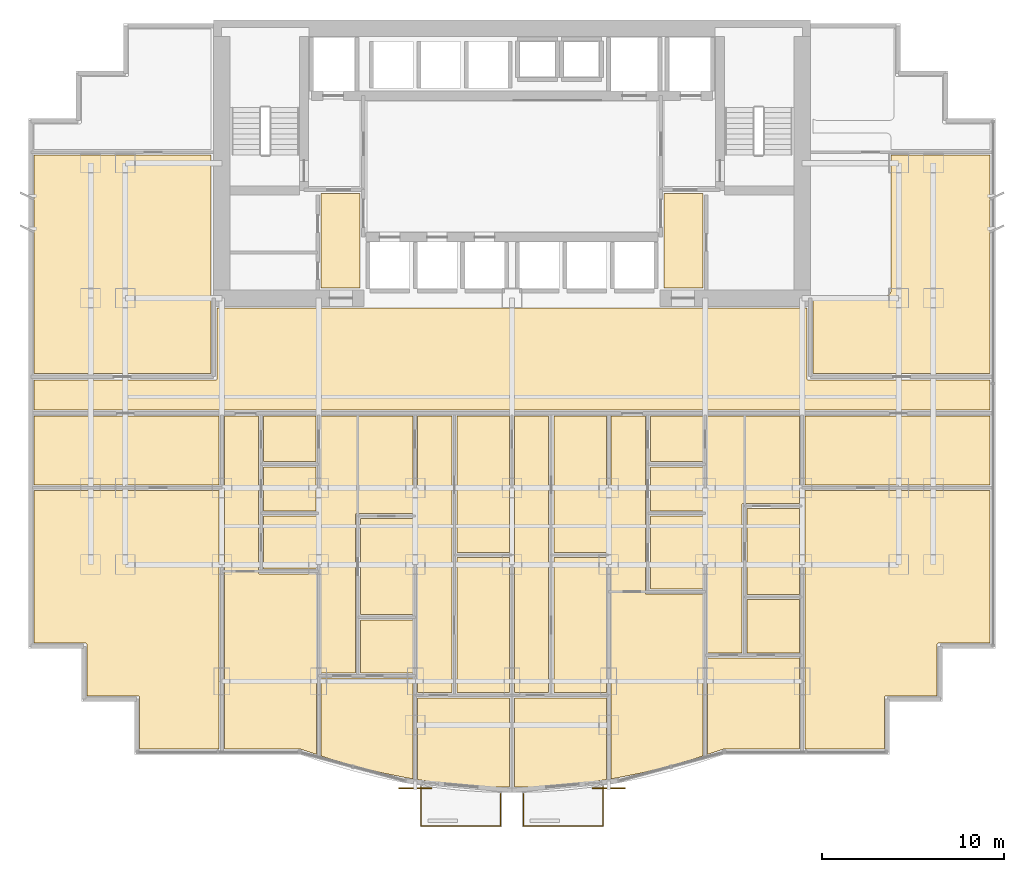
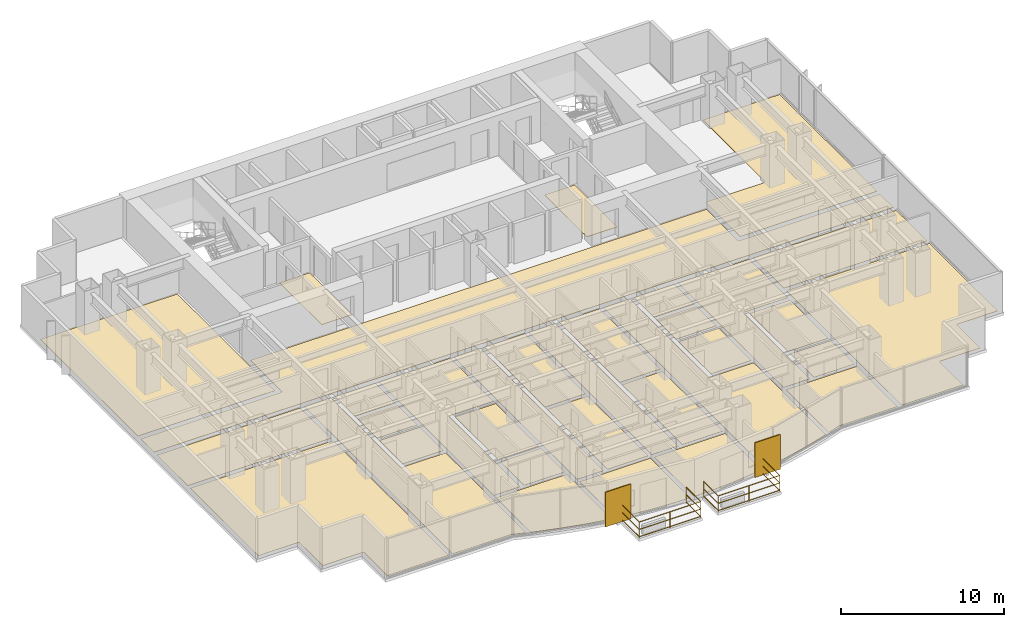
# One storey, part 11 of 12: 33 coverings, 2 railings, 2 shading devices.
"""IFC4 building model written with IfcOpenShell, lengths in metres."""

from ifc_helpers import new_model, si_unit, direction, frame, origin, origin_2d, place, context, subcontext, project, spatial, polyline, rectangle, circle, outline, extrude, source, transform, mapped, material, layer, layer_set, type_object, element, save


model = new_model("IFC4")

# Units and contexts
model_context = context("Model", 3, precision=1e-05, world=origin(), true_north=direction((0.0, 1.0)))
body_context = subcontext(model_context, "Body", "Model", "MODEL_VIEW")
ifc_project = project(units=[si_unit("LENGTHUNIT", "METRE"), si_unit("AREAUNIT", "SQUARE_METRE"), si_unit("VOLUMEUNIT", "CUBIC_METRE"), si_unit("PLANEANGLEUNIT", "RADIAN"), si_unit("MASSUNIT", "GRAM", prefix="KILO")], contexts=[model_context])

# Site, building, storey
site_placement = place(None, origin())
site = spatial("IfcSite", under=ifc_project, at=site_placement, CompositionType="ELEMENT")
building_placement = place(site_placement, origin())
building = spatial("IfcBuilding", under=site, at=building_placement, Name="Qianlan Lanfeng Residences", CompositionType="ELEMENT")
storey_placement = place(building_placement, frame((0.0, 0.0, 67.10009765625)))
storey = spatial("IfcBuildingStorey", under=building, at=storey_placement, Name="L18", CompositionType="ELEMENT", Elevation=67.10009765625)

# Coverings
ifc_material_1 = material(Name="Honed Taitung Granite Stone Flooring", Category="masonry")
ifc_layer_1 = layer(ifc_material_1, 0.030029296875)
ifc_layer_set_1 = layer_set([ifc_layer_1], Name="Honed Taitung Granite Stone Flooring")
covering_type_1 = type_object("IfcCoveringType", Name="FLR-STN-30", PredefinedType="FLOORING", material=ifc_layer_set_1)
covering_1_placement = place(storey_placement, origin())
element("IfcCovering", 1, at=covering_1_placement, inside=storey, type_object=covering_type_1, Name="L18 Residential Corridor Floor Finish", PredefinedType="FLOORING", context=body_context, shape_type="SweptSolid", body=[
    extrude(outline(polyline([(0.2900390625, 19.080078125), (52.7099609375, 19.080078125), (52.7099609375, 20.719970703125), (42.739990234375, 20.719970703125), (42.73291015625, 20.719970703125), (42.72607421875, 20.720947265625), (42.719970703125, 20.722900390625), (42.712890625, 20.72509765625), (42.70703125, 20.72802734375), (42.700927734375, 20.73193359375), (42.696044921875, 20.736083984375), (42.69091796875, 20.740966796875), (42.68603515625, 20.74609375), (42.681884765625, 20.7509765625), (42.677978515625, 20.757080078125), (42.675048828125, 20.762939453125), (42.673095703125, 20.77001953125), (42.6708984375, 20.77587890625), (42.669921875, 20.782958984375), (42.669921875, 20.7900390625), (42.669921875, 24.64990234375), (10.330078125, 24.64990234375), (10.330078125, 20.7900390625), (10.330078125, 20.782958984375), (10.3291015625, 20.77587890625), (10.326904296875, 20.77001953125), (10.324951171875, 20.762939453125), (10.322021484375, 20.757080078125), (10.318115234375, 20.7509765625), (10.31396484375, 20.74609375), (10.30908203125, 20.740966796875), (10.303955078125, 20.736083984375), (10.299072265625, 20.73193359375), (10.29296875, 20.72802734375), (10.287109375, 20.72509765625), (10.280029296875, 20.722900390625), (10.27392578125, 20.720947265625), (10.26708984375, 20.719970703125), (10.260009765625, 20.719970703125), (0.2900390625, 20.719970703125), (0.2900390625, 19.080078125)])), origin(), (0.0, 0.0, 1.0), 0.02978515625),
])
covering_2_placement = place(storey_placement, origin())
element("IfcCovering", 2, at=covering_2_placement, inside=storey, type_object=covering_type_1, Name="L18 Lift Lobby Floor Finish", PredefinedType="FLOORING", context=body_context, shape_type="SweptSolid", body=[
    extrude(outline(polyline([(16.030029296875, 25.760009765625), (18.169921875, 25.760009765625), (18.169921875, 30.949951171875), (16.030029296875, 30.949951171875), (16.030029296875, 25.760009765625)])), origin(), (0.0, 0.0, 1.0), 0.02978515625),
])
covering_3_placement = place(storey_placement, origin())
element("IfcCovering", 3, at=covering_3_placement, inside=storey, type_object=covering_type_1, Name="L18 Lift Lobby Floor Finish", PredefinedType="FLOORING", context=body_context, shape_type="SweptSolid", body=[
    extrude(outline(polyline([(34.830078125, 25.760009765625), (36.969970703125, 25.760009765625), (36.969970703125, 30.949951171875), (34.830078125, 30.949951171875), (34.830078125, 25.760009765625)])), origin(), (0.0, 0.0, 1.0), 0.02978515625),
])
ifc_material_2 = material(Name="Slip-Resistant Porcelain Tile Flooring")
ifc_layer_2 = layer(ifc_material_2, 0.02001953125)
ifc_layer_set_2 = layer_set([ifc_layer_2], Name="Slip-Resistant Porcelain Tile Flooring")
covering_type_2 = type_object("IfcCoveringType", Name="FLR-TIL-20", PredefinedType="FLOORING", material=ifc_layer_set_2)
covering_4_placement = place(storey_placement, origin())
element("IfcCovering", 4, at=covering_4_placement, inside=storey, type_object=covering_type_2, Name="L18 Kitchen Floor Finish", PredefinedType="FLOORING", context=body_context, shape_type="SweptSolid", body=[
    extrude(outline(polyline([(12.889892578125, 13.5400390625), (15.760009765625, 13.5400390625), (15.760009765625, 15.9599609375), (12.889892578125, 15.9599609375), (12.889892578125, 13.5400390625)])), origin(), (0.0, 0.0, 1.0), 0.02001953125),
])
covering_5_placement = place(storey_placement, origin())
element("IfcCovering", 5, at=covering_5_placement, inside=storey, type_object=covering_type_2, Name="L18 Bathroom Floor Finish", PredefinedType="FLOORING", context=body_context, shape_type="SweptSolid", body=[
    extrude(outline(polyline([(12.889892578125, 16.239990234375), (15.760009765625, 16.239990234375), (15.760009765625, 18.72998046875), (12.889892578125, 18.72998046875), (12.889892578125, 16.239990234375)])), origin(), (0.0, 0.0, 1.0), 0.02001953125),
])
covering_6_placement = place(storey_placement, origin())
element("IfcCovering", 6, at=covering_6_placement, inside=storey, type_object=covering_type_2, Name="L18 En-Suite Bathroom Floor Finish", PredefinedType="FLOORING", context=body_context, shape_type="SweptSolid", body=[
    extrude(outline(polyline([(18.18994140625, 4.652099609375), (21.070068359375, 4.652099609375), (21.070068359375, 7.572021484375), (18.18994140625, 7.572021484375), (18.18994140625, 4.652099609375)])), origin(), (0.0, 0.0, 1.0), 0.02001953125),
])
covering_7_placement = place(storey_placement, origin())
element("IfcCovering", 7, at=covering_7_placement, inside=storey, type_object=covering_type_2, Name="L18 Kitchen Floor Finish", PredefinedType="FLOORING", context=body_context, shape_type="SweptSolid", body=[
    extrude(outline(polyline([(34.090087890625, 13.5400390625), (36.9599609375, 13.5400390625), (36.9599609375, 15.9599609375), (34.090087890625, 15.9599609375), (34.090087890625, 13.5400390625)])), origin(), (0.0, 0.0, 1.0), 0.02001953125),
])
covering_8_placement = place(storey_placement, origin())
element("IfcCovering", 8, at=covering_8_placement, inside=storey, type_object=covering_type_2, Name="L18 Bathroom Floor Finish", PredefinedType="FLOORING", context=body_context, shape_type="SweptSolid", body=[
    extrude(outline(polyline([(34.090087890625, 16.239990234375), (36.9599609375, 16.239990234375), (36.9599609375, 18.72998046875), (34.090087890625, 18.72998046875), (34.090087890625, 16.239990234375)])), origin(), (0.0, 0.0, 1.0), 0.02001953125),
])
covering_9_placement = place(storey_placement, origin())
element("IfcCovering", 9, at=covering_9_placement, inside=storey, type_object=covering_type_2, Name="L18 En-Suite Bathroom Floor Finish", PredefinedType="FLOORING", context=body_context, shape_type="SweptSolid", body=[
    extrude(outline(polyline([(39.389892578125, 5.760009765625), (42.27001953125, 5.760009765625), (42.27001953125, 8.679931640625), (39.389892578125, 8.679931640625), (39.389892578125, 5.760009765625)])), origin(), (0.0, 0.0, 1.0), 0.02001953125),
])
ifc_material_3 = material(Name="Engineered Smoked Oak Timber Flooring", Category="wood")
ifc_layer_3 = layer(ifc_material_3, 0.02197265625)
ifc_layer_set_3 = layer_set([ifc_layer_3], Name="Engineered Smoked Oak Timber Flooring")
covering_type_3 = type_object("IfcCoveringType", Name="FLR-TIM-22", PredefinedType="FLOORING", material=ifc_layer_set_3)
covering_10_placement = place(storey_placement, origin())
element("IfcCovering", 10, at=covering_10_placement, inside=storey, type_object=covering_type_3, Name="L18 Living and Dining Room Floor Finish", PredefinedType="FLOORING", context=body_context, shape_type="SweptSolid", body=[
    extrude(outline(polyline([(15.77001953125, 0.195068359375), (15.77001953125, 10.080078125), (12.679931640625, 10.080078125), (12.673095703125, 10.080078125), (12.666015625, 10.0810546875), (12.659912109375, 10.0830078125), (12.653076171875, 10.0849609375), (12.64697265625, 10.087890625), (12.64111328125, 10.092041015625), (12.635986328125, 10.095947265625), (12.631103515625, 10.10107421875), (12.6259765625, 10.10595703125), (12.6220703125, 10.111083984375), (12.617919921875, 10.116943359375), (12.614990234375, 10.123046875), (12.613037109375, 10.1298828125), (12.611083984375, 10.135986328125), (12.610107421875, 10.14306640625), (12.610107421875, 10.14990234375), (12.610107421875, 18.72998046875), (10.72998046875, 18.72998046875), (10.72998046875, 0.489990234375), (14.885986328125, 0.489990234375), (14.89404296875, 0.489990234375), (14.90087890625, 0.488037109375), (14.908935546875, 0.486083984375), (15.77001953125, 0.195068359375)])), origin(), (0.0, 0.0, 1.0), 0.02197265625),
])
covering_11_placement = place(storey_placement, origin())
element("IfcCovering", 11, at=covering_11_placement, inside=storey, type_object=covering_type_3, Name="L18 Private Study Floor Finish", PredefinedType="FLOORING", context=body_context, shape_type="SweptSolid", body=[
    extrude(outline(polyline([(12.889892578125, 13.260009765625), (12.889892578125, 10.360107421875), (15.77001953125, 10.360107421875), (15.77001953125, 13.260009765625), (12.889892578125, 13.260009765625)])), origin(), (0.0, 0.0, 1.0), 0.02197265625),
])
covering_12_placement = place(storey_placement, origin())
element("IfcCovering", 12, at=covering_12_placement, inside=storey, type_object=covering_type_3, Name="L18 Private Study Floor Finish", PredefinedType="FLOORING", context=body_context, shape_type="SweptSolid", body=[
    extrude(outline(polyline([(18.18994140625, 7.85205078125), (21.070068359375, 7.85205078125), (21.070068359375, 13.115966796875), (18.18994140625, 13.115966796875), (18.18994140625, 7.85205078125)])), origin(), (0.0, 0.0, 1.0), 0.02197265625),
])
covering_13_placement = place(storey_placement, origin())
element("IfcCovering", 13, at=covering_13_placement, inside=storey, type_object=covering_type_3, Name="L18 Villa Family Sitting Room Floor Finish", PredefinedType="FLOORING", context=body_context, shape_type="SweptSolid", body=[
    extrude(outline(polyline([(16.030029296875, 4.652099609375), (17.909912109375, 4.652099609375), (17.909912109375, 13.325927734375), (17.909912109375, 13.3330078125), (17.910888671875, 13.340087890625), (17.9130859375, 13.345947265625), (17.9150390625, 13.35302734375), (17.91796875, 13.35888671875), (17.922119140625, 13.364990234375), (17.926025390625, 13.3701171875), (17.930908203125, 13.375), (17.93603515625, 13.3798828125), (17.94091796875, 13.384033203125), (17.947021484375, 13.387939453125), (17.952880859375, 13.39111328125), (17.9599609375, 13.39306640625), (17.966064453125, 13.39501953125), (17.972900390625, 13.39599609375), (17.97998046875, 13.39599609375), (21.070068359375, 13.39599609375), (21.070068359375, 18.72998046875), (16.030029296875, 18.72998046875), (16.030029296875, 4.652099609375)])), origin(), (0.0, 0.0, 1.0), 0.02197265625),
])
covering_14_placement = place(storey_placement, origin())
element("IfcCovering", 14, at=covering_14_placement, inside=storey, type_object=covering_type_3, Name="L18 Master Bedroom Floor Finish", PredefinedType="FLOORING", context=body_context, shape_type="SweptSolid", body=[
    extrude(outline(polyline([(16.030029296875, 4.3720703125), (16.030029296875, 0.10693359375), (16.39306640625, -0.014892578125), (17.837890625, -0.43896484375), (19.282958984375, -0.797119140625), (20.72607421875, -1.090087890625), (21.070068359375, -1.14404296875), (21.070068359375, 4.3720703125), (16.030029296875, 4.3720703125)])), origin(), (0.0, 0.0, 1.0), 0.02197265625),
])
covering_15_placement = place(storey_placement, origin())
element("IfcCovering", 15, at=covering_15_placement, inside=storey, type_object=covering_type_3, Name="L18 Bedroom Floor Finish", PredefinedType="FLOORING", context=body_context, shape_type="SweptSolid", body=[
    extrude(outline(polyline([(21.330078125, 3.2939453125), (21.330078125, -1.18505859375), (22.169921875, -1.318115234375), (23.613037109375, -1.47998046875), (25.056884765625, -1.576904296875), (26.3701171875, -1.60693359375), (26.3701171875, 3.2939453125), (21.330078125, 3.2939453125)])), origin(), (0.0, 0.0, 1.0), 0.02197265625),
])
covering_16_placement = place(storey_placement, origin())
element("IfcCovering", 16, at=covering_16_placement, inside=storey, type_object=covering_type_3, Name="L18 Private Study Floor Finish", PredefinedType="FLOORING", context=body_context, shape_type="SweptSolid", body=[
    extrude(outline(polyline([(23.489990234375, 3.573974609375), (26.3701171875, 3.573974609375), (26.3701171875, 10.97705078125), (23.489990234375, 10.97705078125), (23.489990234375, 3.573974609375)])), origin(), (0.0, 0.0, 1.0), 0.02197265625),
])
covering_17_placement = place(storey_placement, origin())
element("IfcCovering", 17, at=covering_17_placement, inside=storey, type_object=covering_type_3, Name="L18 Yoga Studio Floor Finish", PredefinedType="FLOORING", context=body_context, shape_type="SweptSolid", body=[
    extrude(outline(polyline([(23.489990234375, 11.257080078125), (26.3701171875, 11.257080078125), (26.3701171875, 18.72998046875), (23.489990234375, 18.72998046875), (23.489990234375, 11.257080078125)])), origin(), (0.0, 0.0, 1.0), 0.02197265625),
])
covering_18_placement = place(storey_placement, origin())
element("IfcCovering", 18, at=covering_18_placement, inside=storey, type_object=covering_type_3, Name="L18 Home Office Floor Finish", PredefinedType="FLOORING", context=body_context, shape_type="SweptSolid", body=[
    extrude(outline(polyline([(21.330078125, 3.573974609375), (23.2099609375, 3.573974609375), (23.2099609375, 18.72998046875), (21.330078125, 18.72998046875), (21.330078125, 3.573974609375)])), origin(), (0.0, 0.0, 1.0), 0.02197265625),
])
covering_19_placement = place(storey_placement, origin())
element("IfcCovering", 19, at=covering_19_placement, inside=storey, type_object=covering_type_3, Name="L18 Guest Bedroom Floor Finish", PredefinedType="FLOORING", context=body_context, shape_type="SweptSolid", body=[
    extrude(outline(polyline([(26.6298828125, 3.2939453125), (26.6298828125, -1.60693359375), (27.943115234375, -1.576904296875), (29.385986328125, -1.47998046875), (30.830078125, -1.318115234375), (31.669921875, -1.18505859375), (31.669921875, 3.2939453125), (26.6298828125, 3.2939453125)])), origin(), (0.0, 0.0, 1.0), 0.02197265625),
])
covering_20_placement = place(storey_placement, origin())
element("IfcCovering", 20, at=covering_20_placement, inside=storey, type_object=covering_type_3, Name="L18 Private Study Floor Finish", PredefinedType="FLOORING", context=body_context, shape_type="SweptSolid", body=[
    extrude(outline(polyline([(28.7900390625, 3.573974609375), (31.669921875, 3.573974609375), (31.669921875, 10.97705078125), (28.7900390625, 10.97705078125), (28.7900390625, 3.573974609375)])), origin(), (0.0, 0.0, 1.0), 0.02197265625),
])
covering_21_placement = place(storey_placement, origin())
element("IfcCovering", 21, at=covering_21_placement, inside=storey, type_object=covering_type_3, Name="L18 Yoga Studio Floor Finish", PredefinedType="FLOORING", context=body_context, shape_type="SweptSolid", body=[
    extrude(outline(polyline([(28.7900390625, 11.257080078125), (31.669921875, 11.257080078125), (31.669921875, 18.72998046875), (28.7900390625, 18.72998046875), (28.7900390625, 11.257080078125)])), origin(), (0.0, 0.0, 1.0), 0.02197265625),
])
covering_22_placement = place(storey_placement, origin())
element("IfcCovering", 22, at=covering_22_placement, inside=storey, type_object=covering_type_3, Name="L18 Home Office Floor Finish", PredefinedType="FLOORING", context=body_context, shape_type="SweptSolid", body=[
    extrude(outline(polyline([(26.6298828125, 3.573974609375), (28.510009765625, 3.573974609375), (28.510009765625, 18.72998046875), (26.6298828125, 18.72998046875), (26.6298828125, 3.573974609375)])), origin(), (0.0, 0.0, 1.0), 0.02197265625),
])
covering_23_placement = place(storey_placement, origin())
element("IfcCovering", 23, at=covering_23_placement, inside=storey, type_object=covering_type_3, Name="L18 Living and Dining Room Floor Finish", PredefinedType="FLOORING", context=body_context, shape_type="SweptSolid", body=[
    extrude(outline(polyline([(36.969970703125, 0.10693359375), (36.969970703125, 8.972900390625), (33.8798828125, 8.972900390625), (33.873046875, 8.972900390625), (33.865966796875, 8.97412109375), (33.860107421875, 8.97607421875), (33.85302734375, 8.97802734375), (33.846923828125, 8.98095703125), (33.841064453125, 8.985107421875), (33.8359375, 8.989013671875), (33.8310546875, 8.993896484375), (33.825927734375, 8.9990234375), (33.822021484375, 9.00390625), (33.818115234375, 9.010009765625), (33.81494140625, 9.01611328125), (33.81298828125, 9.02294921875), (33.81103515625, 9.029052734375), (33.81005859375, 9.035888671875), (33.81005859375, 9.04296875), (33.81005859375, 18.72998046875), (31.929931640625, 18.72998046875), (31.929931640625, -1.14404296875), (32.27392578125, -1.090087890625), (33.717041015625, -0.797119140625), (35.160888671875, -0.43896484375), (36.60693359375, -0.014892578125), (36.969970703125, 0.10693359375)])), origin(), (0.0, 0.0, 1.0), 0.02197265625),
])
covering_24_placement = place(storey_placement, origin())
element("IfcCovering", 24, at=covering_24_placement, inside=storey, type_object=covering_type_3, Name="L18 Villa Family Sitting Room Floor Finish", PredefinedType="FLOORING", context=body_context, shape_type="SweptSolid", body=[
    extrude(outline(polyline([(34.090087890625, 13.260009765625), (34.090087890625, 9.2529296875), (36.969970703125, 9.2529296875), (36.969970703125, 13.260009765625), (34.090087890625, 13.260009765625)])), origin(), (0.0, 0.0, 1.0), 0.02197265625),
])
covering_25_placement = place(storey_placement, origin())
element("IfcCovering", 25, at=covering_25_placement, inside=storey, type_object=covering_type_3, Name="L18 Private Study Floor Finish", PredefinedType="FLOORING", context=body_context, shape_type="SweptSolid", body=[
    extrude(outline(polyline([(39.389892578125, 8.9599609375), (42.27001953125, 8.9599609375), (42.27001953125, 13.669921875), (39.389892578125, 13.669921875), (39.389892578125, 8.9599609375)])), origin(), (0.0, 0.0, 1.0), 0.02197265625),
])
covering_26_placement = place(storey_placement, origin())
element("IfcCovering", 26, at=covering_26_placement, inside=storey, type_object=covering_type_3, Name="L18 Villa Family Sitting Room Floor Finish", PredefinedType="FLOORING", context=body_context, shape_type="SweptSolid", body=[
    extrude(outline(polyline([(37.22998046875, 5.760009765625), (39.110107421875, 5.760009765625), (39.110107421875, 13.8798828125), (39.110107421875, 13.886962890625), (39.111083984375, 13.89404296875), (39.113037109375, 13.89990234375), (39.114990234375, 13.906982421875), (39.117919921875, 13.9130859375), (39.1220703125, 13.9189453125), (39.1259765625, 13.924072265625), (39.131103515625, 13.928955078125), (39.135986328125, 13.93408203125), (39.14111328125, 13.93798828125), (39.14697265625, 13.94189453125), (39.153076171875, 13.945068359375), (39.159912109375, 13.947021484375), (39.166015625, 13.948974609375), (39.173095703125, 13.949951171875), (39.179931640625, 13.949951171875), (42.27001953125, 13.949951171875), (42.27001953125, 18.72998046875), (37.22998046875, 18.72998046875), (37.22998046875, 5.760009765625)])), origin(), (0.0, 0.0, 1.0), 0.02197265625),
])
covering_27_placement = place(storey_placement, origin())
element("IfcCovering", 27, at=covering_27_placement, inside=storey, type_object=covering_type_3, Name="L18 Master Bedroom Floor Finish", PredefinedType="FLOORING", context=body_context, shape_type="SweptSolid", body=[
    extrude(outline(polyline([(37.22998046875, 5.47998046875), (37.22998046875, 0.195068359375), (38.091064453125, 0.486083984375), (38.09912109375, 0.488037109375), (38.10595703125, 0.489990234375), (38.114013671875, 0.489990234375), (42.27001953125, 0.489990234375), (42.27001953125, 5.47998046875), (37.22998046875, 5.47998046875)])), origin(), (0.0, 0.0, 1.0), 0.02197265625),
])
covering_28_placement = place(storey_placement, origin())
element("IfcCovering", 28, at=covering_28_placement, inside=storey, type_object=covering_type_3, Name="L18 Sunroom Floor Finish", PredefinedType="FLOORING", context=body_context, shape_type="SweptSolid", body=[
    extrude(outline(polyline([(10.43994140625, 14.64990234375), (0.2900390625, 14.64990234375), (0.2900390625, 6.2900390625), (3.1201171875, 6.2900390625), (3.126953125, 6.2900390625), (3.134033203125, 6.2890625), (3.139892578125, 6.287109375), (3.14697265625, 6.284912109375), (3.153076171875, 6.281982421875), (3.158935546875, 6.278076171875), (3.1640625, 6.27392578125), (3.1689453125, 6.26904296875), (3.174072265625, 6.263916015625), (3.177978515625, 6.259033203125), (3.181884765625, 6.2529296875), (3.18505859375, 6.2470703125), (3.18701171875, 6.239990234375), (3.18896484375, 6.23388671875), (3.18994140625, 6.22705078125), (3.18994140625, 6.219970703125), (3.18994140625, 3.389892578125), (6.02001953125, 3.389892578125), (6.027099609375, 3.389892578125), (6.033935546875, 3.388916015625), (6.0400390625, 3.386962890625), (6.047119140625, 3.385009765625), (6.052978515625, 3.382080078125), (6.05908203125, 3.3779296875), (6.06396484375, 3.3740234375), (6.069091796875, 3.368896484375), (6.073974609375, 3.364013671875), (6.077880859375, 3.35888671875), (6.08203125, 3.35302734375), (6.0849609375, 3.346923828125), (6.0869140625, 3.340087890625), (6.089111328125, 3.333984375), (6.090087890625, 3.326904296875), (6.090087890625, 3.320068359375), (6.090087890625, 0.489990234375), (10.43994140625, 0.489990234375), (10.43994140625, 14.64990234375)])), origin(), (0.0, 0.0, 1.0), 0.02197265625),
])
covering_29_placement = place(storey_placement, origin())
element("IfcCovering", 29, at=covering_29_placement, inside=storey, type_object=covering_type_3, Name="L18 Family Sitting Room Floor Finish", PredefinedType="FLOORING", context=body_context, shape_type="SweptSolid", body=[
    extrude(outline(polyline([(10.43994140625, 18.72998046875), (0.2900390625, 18.72998046875), (0.2900390625, 14.949951171875), (10.43994140625, 14.949951171875), (10.43994140625, 18.72998046875)])), origin(), (0.0, 0.0, 1.0), 0.02197265625),
])
covering_30_placement = place(storey_placement, origin())
element("IfcCovering", 30, at=covering_30_placement, inside=storey, type_object=covering_type_3, Name="L18 Sunroom Floor Finish", PredefinedType="FLOORING", context=body_context, shape_type="SweptSolid", body=[
    extrude(outline(polyline([(52.7099609375, 14.64990234375), (42.56005859375, 14.64990234375), (42.56005859375, 0.489990234375), (46.909912109375, 0.489990234375), (46.909912109375, 3.320068359375), (46.909912109375, 3.326904296875), (46.910888671875, 3.333984375), (46.9130859375, 3.340087890625), (46.9150390625, 3.346923828125), (46.91796875, 3.35302734375), (46.922119140625, 3.35888671875), (46.926025390625, 3.364013671875), (46.930908203125, 3.368896484375), (46.93603515625, 3.3740234375), (46.94091796875, 3.3779296875), (46.947021484375, 3.382080078125), (46.952880859375, 3.385009765625), (46.9599609375, 3.386962890625), (46.966064453125, 3.388916015625), (46.972900390625, 3.389892578125), (46.97998046875, 3.389892578125), (49.81005859375, 3.389892578125), (49.81005859375, 6.219970703125), (49.81005859375, 6.22705078125), (49.81103515625, 6.23388671875), (49.81298828125, 6.239990234375), (49.81494140625, 6.2470703125), (49.818115234375, 6.2529296875), (49.822021484375, 6.259033203125), (49.825927734375, 6.263916015625), (49.8310546875, 6.26904296875), (49.8359375, 6.27392578125), (49.841064453125, 6.278076171875), (49.846923828125, 6.281982421875), (49.85302734375, 6.284912109375), (49.860107421875, 6.287109375), (49.865966796875, 6.2890625), (49.873046875, 6.2900390625), (49.8798828125, 6.2900390625), (52.7099609375, 6.2900390625), (52.7099609375, 14.64990234375)])), origin(), (0.0, 0.0, 1.0), 0.02197265625),
])
covering_31_placement = place(storey_placement, origin())
element("IfcCovering", 31, at=covering_31_placement, inside=storey, type_object=covering_type_3, Name="L18 Private Study Floor Finish", PredefinedType="FLOORING", context=body_context, shape_type="SweptSolid", body=[
    extrude(outline(polyline([(52.7099609375, 18.72998046875), (42.56005859375, 18.72998046875), (42.56005859375, 14.949951171875), (52.7099609375, 14.949951171875), (52.7099609375, 18.72998046875)])), origin(), (0.0, 0.0, 1.0), 0.02197265625),
])
covering_32_placement = place(storey_placement, origin())
element("IfcCovering", 32, at=covering_32_placement, inside=storey, type_object=covering_type_3, Name="L18 Fitness Gymnasium Floor Finish", PredefinedType="FLOORING", context=body_context, shape_type="SweptSolid", body=[
    extrude(outline(polyline([(10.0, 33.050048828125), (0.2900390625, 33.050048828125), (0.2900390625, 21.080078125), (10.0, 21.080078125), (10.0, 33.050048828125)])), origin(), (0.0, 0.0, 1.0), 0.02197265625),
])
covering_33_placement = place(storey_placement, origin())
element("IfcCovering", 33, at=covering_33_placement, inside=storey, type_object=covering_type_3, Name="L18 Fitness Gymnasium Floor Finish", PredefinedType="FLOORING", context=body_context, shape_type="SweptSolid", body=[
    extrude(outline(polyline([(52.7099609375, 33.050048828125), (47.27001953125, 33.050048828125), (47.27001953125, 25.60009765625), (47.26904296875, 25.574951171875), (47.264892578125, 25.551025390625), (47.259033203125, 25.527099609375), (47.2509765625, 25.50390625), (47.239990234375, 25.48193359375), (47.22802734375, 25.4609375), (47.212890625, 25.44091796875), (47.197021484375, 25.423095703125), (47.178955078125, 25.406982421875), (47.158935546875, 25.39208984375), (47.137939453125, 25.3798828125), (47.115966796875, 25.368896484375), (47.093017578125, 25.361083984375), (47.069091796875, 25.35498046875), (47.044921875, 25.35107421875), (47.02001953125, 25.35009765625), (43.080078125, 25.35009765625), (43.054931640625, 25.35107421875), (43.031005859375, 25.35498046875), (43.007080078125, 25.361083984375), (43.0, 25.363037109375), (43.0, 21.080078125), (52.7099609375, 21.080078125), (52.7099609375, 33.050048828125)])), origin(), (0.0, 0.0, 1.0), 0.02197265625),
])

# Railings
ifc_material_4 = material(Name="Anodised Bronze Aluminium and Laminated Glass Guard Balustrade", Category="aluminium")
railing_type = type_object("IfcRailingType", Name="GR-EXT-1220", PredefinedType="BALUSTRADE", material=ifc_material_4)
railing_1_placement = place(storey_placement, frame((25.8798828125, -1.9560546875, 0.0)))
element("IfcRailing", 34, at=railing_1_placement, inside=storey, type_object=railing_type, Name="L18 Terrace Safety Guard GR-L18-SB-W", PredefinedType="BALUSTRADE", context=body_context, shape_type="SweptSolid", body=[
    extrude(circle(Radius=0.02490234375, at=origin_2d()), frame((0.0, 0.0, 0.0849609375), z_axis=(0.0, -1.0, 0.0), x_axis=(1.0, 0.0, 0.0)), (0.0, 0.0, 1.0), 1.77392578125),
    extrude(circle(Radius=0.02490234375, at=origin_2d()), frame((0.0, 0.0, 0.63427734375), z_axis=(0.0, -1.0, 0.0), x_axis=(1.0, 0.0, 0.0)), (0.0, 0.0, 1.0), 1.77392578125),
    extrude(circle(Radius=0.02490234375, at=origin_2d()), frame((0.0, 0.0, 1.19482421875), z_axis=(0.0, -1.0, 0.0), x_axis=(1.0, 0.0, 0.0)), (0.0, 0.0, 1.0), 1.77392578125),
    extrude(circle(Radius=0.02490234375, at=origin_2d()), frame((0.0, -1.77392578125, 0.0849609375), z_axis=(-1.0, 0.0, 0.0), x_axis=(0.0, -1.0, 0.0)), (0.0, 0.0, 1.0), 4.35986328125),
    extrude(circle(Radius=0.02490234375, at=origin_2d()), frame((0.0, -1.77392578125, 0.63427734375), z_axis=(-1.0, 0.0, 0.0), x_axis=(0.0, -1.0, 0.0)), (0.0, 0.0, 1.0), 4.35986328125),
    extrude(circle(Radius=0.02490234375, at=origin_2d()), frame((0.0, -1.77392578125, 1.19482421875), z_axis=(-1.0, 0.0, 0.0), x_axis=(0.0, -1.0, 0.0)), (0.0, 0.0, 1.0), 4.35986328125),
    extrude(circle(Radius=0.02490234375, at=origin_2d()), frame((-4.35986328125, -1.77392578125, 0.0849609375), z_axis=(0.0, 1.0, 0.0), x_axis=(-1.0, 0.0, 0.0)), (0.0, 0.0, 1.0), 2.15087890625),
    extrude(circle(Radius=0.02490234375, at=origin_2d()), frame((-4.35986328125, -1.77392578125, 0.63427734375), z_axis=(0.0, 1.0, 0.0), x_axis=(-1.0, 0.0, 0.0)), (0.0, 0.0, 1.0), 2.15087890625),
    extrude(circle(Radius=0.02490234375, at=origin_2d()), frame((-4.35986328125, -1.77392578125, 1.19482421875), z_axis=(0.0, 1.0, 0.0), x_axis=(-1.0, 0.0, 0.0)), (0.0, 0.0, 1.0), 2.15087890625),
    extrude(circle(Radius=0.02099609375, at=origin_2d()), origin(), (0.0, 0.0, 1.0), 1.169921875),
    extrude(circle(Radius=0.02099609375, at=origin_2d()), frame((0.0, -1.77392578125, 0.0)), (0.0, 0.0, 1.0), 1.169921875),
    extrude(circle(Radius=0.02099609375, at=origin_2d()), frame((-2.179931640625, -1.77392578125, 0.0)), (0.0, 0.0, 1.0), 1.169921875),
    extrude(circle(Radius=0.02099609375, at=origin_2d()), frame((-4.35986328125, -1.77392578125, 0.0)), (0.0, 0.0, 1.0), 1.169921875),
    extrude(circle(Radius=0.02099609375, at=origin_2d()), frame((-4.35986328125, 0.376953125, 0.0)), (0.0, 0.0, 1.0), 1.169921875),
])
railing_2_placement = place(storey_placement, frame((31.47998046875, -1.5791015625, 0.0)))
element("IfcRailing", 35, at=railing_2_placement, inside=storey, type_object=railing_type, Name="L18 Terrace Safety Guard GR-L18-SB-E", PredefinedType="BALUSTRADE", context=body_context, shape_type="SweptSolid", body=[
    extrude(circle(Radius=0.02490234375, at=origin_2d()), frame((0.0, 0.0, 0.0849609375), z_axis=(0.0, -1.0, 0.0), x_axis=(1.0, 0.0, 0.0)), (0.0, 0.0, 1.0), 2.15087890625),
    extrude(circle(Radius=0.02490234375, at=origin_2d()), frame((0.0, 0.0, 0.63427734375), z_axis=(0.0, -1.0, 0.0), x_axis=(1.0, 0.0, 0.0)), (0.0, 0.0, 1.0), 2.15087890625),
    extrude(circle(Radius=0.02490234375, at=origin_2d()), frame((0.0, 0.0, 1.19482421875), z_axis=(0.0, -1.0, 0.0), x_axis=(1.0, 0.0, 0.0)), (0.0, 0.0, 1.0), 2.15087890625),
    extrude(circle(Radius=0.02490234375, at=origin_2d()), frame((0.0, -2.15087890625, 0.0849609375), z_axis=(-1.0, 0.0, 0.0), x_axis=(0.0, -1.0, 0.0)), (0.0, 0.0, 1.0), 4.35986328125),
    extrude(circle(Radius=0.02490234375, at=origin_2d()), frame((0.0, -2.15087890625, 0.63427734375), z_axis=(-1.0, 0.0, 0.0), x_axis=(0.0, -1.0, 0.0)), (0.0, 0.0, 1.0), 4.35986328125),
    extrude(circle(Radius=0.02490234375, at=origin_2d()), frame((0.0, -2.15087890625, 1.19482421875), z_axis=(-1.0, 0.0, 0.0), x_axis=(0.0, -1.0, 0.0)), (0.0, 0.0, 1.0), 4.35986328125),
    extrude(circle(Radius=0.02490234375, at=origin_2d()), frame((-4.35986328125, -2.15087890625, 0.0849609375), z_axis=(0.0, 1.0, 0.0), x_axis=(-1.0, 0.0, 0.0)), (0.0, 0.0, 1.0), 1.77392578125),
    extrude(circle(Radius=0.02490234375, at=origin_2d()), frame((-4.35986328125, -2.15087890625, 0.63427734375), z_axis=(0.0, 1.0, 0.0), x_axis=(-1.0, 0.0, 0.0)), (0.0, 0.0, 1.0), 1.77392578125),
    extrude(circle(Radius=0.02490234375, at=origin_2d()), frame((-4.35986328125, -2.15087890625, 1.19482421875), z_axis=(0.0, 1.0, 0.0), x_axis=(-1.0, 0.0, 0.0)), (0.0, 0.0, 1.0), 1.77392578125),
    extrude(circle(Radius=0.02099609375, at=origin_2d()), origin(), (0.0, 0.0, 1.0), 1.169921875),
    extrude(circle(Radius=0.02099609375, at=origin_2d()), frame((0.0, -2.15087890625, 0.0)), (0.0, 0.0, 1.0), 1.169921875),
    extrude(circle(Radius=0.02099609375, at=origin_2d()), frame((-2.179931640625, -2.15087890625, 0.0)), (0.0, 0.0, 1.0), 1.169921875),
    extrude(circle(Radius=0.02099609375, at=origin_2d()), frame((-4.35986328125, -2.15087890625, 0.0)), (0.0, 0.0, 1.0), 1.169921875),
    extrude(circle(Radius=0.02099609375, at=origin_2d()), frame((-4.35986328125, -0.376953125, 0.0)), (0.0, 0.0, 1.0), 1.169921875),
])

# Shading devices
ifc_material_5 = material(Name="Perforated Bronze Aluminium Solar Screen", Category="aluminium")
shading_device_type = type_object("IfcShadingDeviceType", Name="SCR-BRZ-1800", PredefinedType="JALOUSIE", material=ifc_material_5)
shared_shape = source(origin(), body_context, "Body", "SweptSolid", [
    extrude(rectangle(XDim=1.800048828125, YDim=0.06005859375, at=origin_2d()), origin(), (0.0, 0.0, 1.0), 2.60009765625),
])
for number, where, z_axis, x_axis, name in (
    (36, (21.199951171875, -1.659912109375, -0.000244140625), (0.0, 0.0, 1.0), (1.0, 0.0, 0.0), "L18 Perforated Bronze Solar Screen 1"),
    (37, (31.800048828125, -1.659912109375, -0.000244140625), (0.0, 0.0, 1.0), (1.0, 0.0, 0.0), "L18 Perforated Bronze Solar Screen 2"),
):
    element("IfcShadingDevice", number, at=place(storey_placement, frame(where, z_axis=z_axis, x_axis=x_axis)), inside=storey, type_object=shading_device_type, Name=name, PredefinedType="JALOUSIE", context=body_context, shape_type="MappedRepresentation", body=[
        mapped(shared_shape, transform((0.0, 0.0, 0.0), scale=1.0)),
    ])

save(model, "model.ifc")
